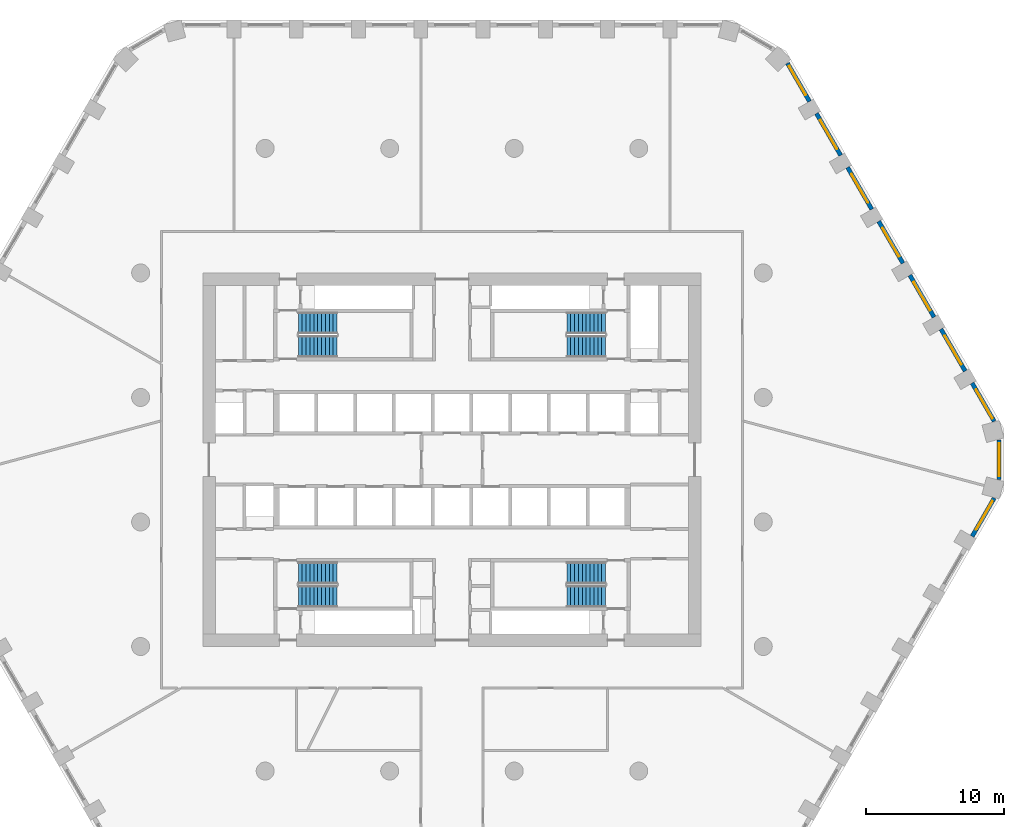
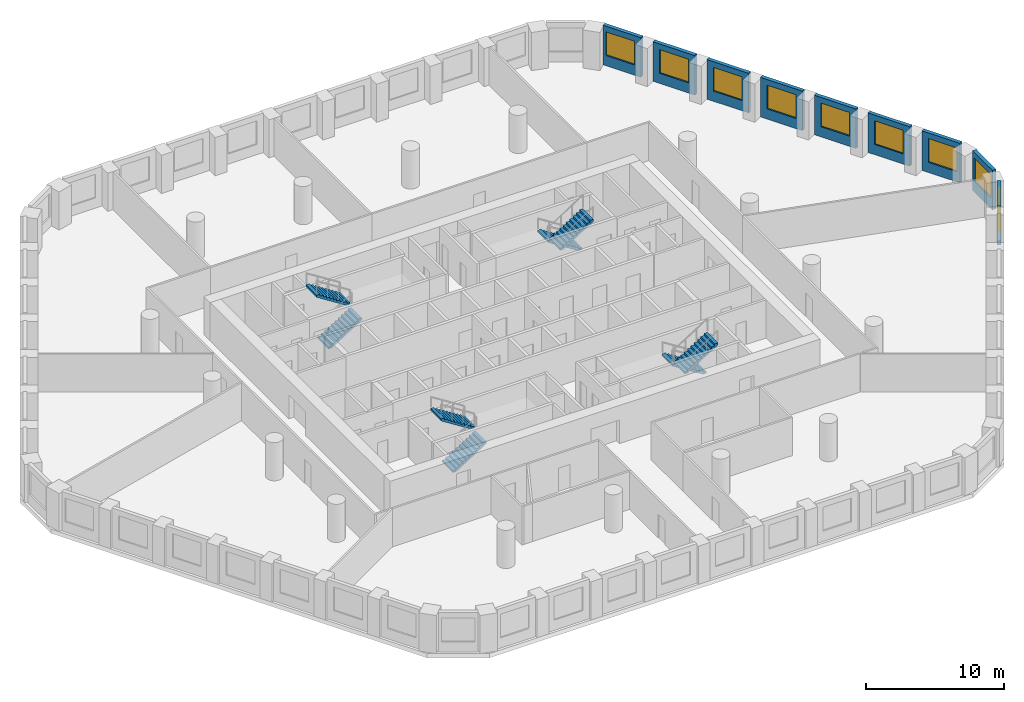
# One storey, part 8 of 9: 9 walls, 9 windows, 8 stair flights, 9 openings, 4 elements without a shape of their own.
"""IFC4 building model written with IfcOpenShell, lengths in metres."""

from ifc_helpers import new_model, si_unit, direction, frame, frame_2d, origin, place, context, subcontext, project, spatial, polyline, rectangle, outline, extrude, material, layer, layer_set, type_object, element, fill, aggregate, save


model = new_model("IFC4")

# Units and contexts
model_context = context("Model", 3, precision=1e-05, world=origin(), true_north=direction((0.0, 1.0)))
body_context = subcontext(model_context, "Body", "Model", "MODEL_VIEW")
ifc_project = project(units=[si_unit("LENGTHUNIT", "METRE"), si_unit("AREAUNIT", "SQUARE_METRE"), si_unit("VOLUMEUNIT", "CUBIC_METRE"), si_unit("PLANEANGLEUNIT", "RADIAN"), si_unit("MASSUNIT", "GRAM", prefix="KILO")], contexts=[model_context])

# Site, building, storey
site_placement = place(None, origin())
site = spatial("IfcSite", under=ifc_project, at=site_placement, CompositionType="ELEMENT")
building_placement = place(site_placement, origin())
building = spatial("IfcBuilding", under=site, at=building_placement, Name="Dhurran Vertical Campus", CompositionType="ELEMENT")
storey_placement = place(building_placement, frame((0.0, 0.0, 124.199951171875)))
storey = spatial("IfcBuildingStorey", under=building, at=storey_placement, Name="L30", CompositionType="ELEMENT", Elevation=124.199951171875)

# Wall, opening, window
ifc_material_1 = material(Name="Precast concrete C50/60", Category="concrete")
ifc_layer = layer(ifc_material_1, 0.300048828125)
ifc_layer_set = layer_set([ifc_layer], Name="Precast concrete C50/60")
wall_type = type_object("IfcWallType", Name="Precast spandrel wall 300", PredefinedType="SOLIDWALL", material=ifc_layer_set)
wall_1_placement = place(storey_placement, frame((37.59423828125, -5.538818359375, 0.0), z_axis=(0.0, 0.0, 1.0), x_axis=(0.500004907028, 0.866022570692, 0.0)))
wall_1 = element("IfcWall", 1, at=wall_1_placement, inside=storey, type_object=wall_type, Name="EW1 L30.16", PredefinedType="SOLIDWALL", context=body_context, shape_type="SweptSolid", body=[
    extrude(rectangle(XDim=3.1923828125, YDim=0.300048828125, at=frame_2d((1.59619140625, 0.0))), origin(), (0.0, 0.0, 1.0), 3.5),
])
opening_1_placement = place(wall_1_placement, frame((0.549560546875, 0.0, 0.89990234375)))
opening_1 = element("IfcOpeningElement", 2, at=opening_1_placement, cuts=wall_1, Name="Opening WT1", PredefinedType="OPENING", context=body_context, shape_type="SweptSolid", body=[
    extrude(rectangle(XDim=2.39990234375, YDim=2.10009765625, at=frame_2d((1.199951171875, 1.050048828125))), frame((0.0, 0.159912109375, 0.0), z_axis=(0.0, -1.0, 0.0), x_axis=(1.0, 0.0, 0.0)), (0.0, 0.0, 1.0), 0.320068359375),
])
ifc_material_2 = material(Name="Aluminium frame with solar-control glass", Category="aluminium")
window_type = type_object("IfcWindowType", Name="Punched window 2400 x 2100", PartitioningType="SINGLE_PANEL", PredefinedType="WINDOW", material=ifc_material_2)
window_1_placement = place(opening_1_placement, origin())
window_1 = element("IfcWindow", 3, at=window_1_placement, inside=storey, type_object=window_type, Name="WT1 L30.16", OverallHeight=2.10009765625, OverallWidth=2.39990234375, PartitioningType="SINGLE_PANEL", PredefinedType="WINDOW", context=body_context, shape_type="SweptSolid", body=[
    extrude(rectangle(XDim=2.39990234375, YDim=2.10009765625, at=frame_2d((1.199951171875, 1.050048828125))), frame((0.0, 0.030029296875, 0.0), z_axis=(0.0, -1.0, 0.0), x_axis=(1.0, 0.0, 0.0)), (0.0, 0.0, 1.0), 0.06005859375),
])
fill(opening_1, window_1)

wall_2_placement = place(storey_placement, frame((39.547119140625, -1.44287109375, 0.0), z_axis=(0.0, 0.0, 1.0), x_axis=(0.0, 1.0, 0.0)))
wall_2 = element("IfcWall", 4, at=wall_2_placement, inside=storey, type_object=wall_type, Name="EW1 L30.17", PredefinedType="SOLIDWALL", context=body_context, shape_type="SweptSolid", body=[
    extrude(rectangle(XDim=2.8857421875, YDim=0.300048828125, at=frame_2d((1.44287109375, 0.0))), origin(), (0.0, 0.0, 1.0), 3.5),
])
opening_2_placement = place(wall_2_placement, frame((0.242919921875, 0.0, 0.89990234375)))
opening_2 = element("IfcOpeningElement", 5, at=opening_2_placement, cuts=wall_2, Name="Opening WT1", PredefinedType="OPENING", context=body_context, shape_type="SweptSolid", body=[
    extrude(rectangle(XDim=2.39990234375, YDim=2.10009765625, at=frame_2d((1.199951171875, 1.050048828125))), frame((0.0, 0.159912109375, 0.0), z_axis=(0.0, -1.0, 0.0), x_axis=(1.0, 0.0, 0.0)), (0.0, 0.0, 1.0), 0.320068359375),
])
window_2_placement = place(opening_2_placement, origin())
window_2 = element("IfcWindow", 6, at=window_2_placement, inside=storey, type_object=window_type, Name="WT1 L30.17", OverallHeight=2.10009765625, OverallWidth=2.39990234375, PartitioningType="SINGLE_PANEL", PredefinedType="WINDOW", context=body_context, shape_type="SweptSolid", body=[
    extrude(rectangle(XDim=2.39990234375, YDim=2.10009765625, at=frame_2d((1.199951171875, 1.050048828125))), frame((0.0, 0.030029296875, 0.0), z_axis=(0.0, -1.0, 0.0), x_axis=(1.0, 0.0, 0.0)), (0.0, 0.0, 1.0), 0.06005859375),
])
fill(opening_2, window_2)

wall_3_placement = place(storey_placement, frame((39.1904296875, 2.774169921875, 0.0), z_axis=(0.0, 0.0, 1.0), x_axis=(-0.500004907028, 0.866022570692, 0.0)))
wall_3 = element("IfcWall", 7, at=wall_3_placement, inside=storey, type_object=wall_type, Name="EW1 L30.18", PredefinedType="SOLIDWALL", context=body_context, shape_type="SweptSolid", body=[
    extrude(rectangle(XDim=3.1923828125, YDim=0.300048828125, at=frame_2d((1.59619140625, 0.0))), origin(), (0.0, 0.0, 1.0), 3.5),
])
opening_3_placement = place(wall_3_placement, frame((0.242919921875, 0.0, 0.89990234375)))
opening_3 = element("IfcOpeningElement", 8, at=opening_3_placement, cuts=wall_3, Name="Opening WT1", PredefinedType="OPENING", context=body_context, shape_type="SweptSolid", body=[
    extrude(rectangle(XDim=2.39990234375, YDim=2.10009765625, at=frame_2d((1.199951171875, 1.050048828125))), frame((0.0, 0.159912109375, 0.0), z_axis=(0.0, -1.0, 0.0), x_axis=(1.0, 0.0, 0.0)), (0.0, 0.0, 1.0), 0.320068359375),
])
window_3_placement = place(opening_3_placement, origin())
window_3 = element("IfcWindow", 9, at=window_3_placement, inside=storey, type_object=window_type, Name="WT1 L30.18", OverallHeight=2.10009765625, OverallWidth=2.39990234375, PartitioningType="SINGLE_PANEL", PredefinedType="WINDOW", context=body_context, shape_type="SweptSolid", body=[
    extrude(rectangle(XDim=2.39990234375, YDim=2.10009765625, at=frame_2d((1.199951171875, 1.050048828125))), frame((0.0, 0.030029296875, 0.0), z_axis=(0.0, -1.0, 0.0), x_axis=(1.0, 0.0, 0.0)), (0.0, 0.0, 1.0), 0.06005859375),
])
fill(opening_3, window_3)

wall_4_placement = place(storey_placement, frame((37.09375, 6.405517578125, 0.0), z_axis=(0.0, 0.0, 1.0), x_axis=(-0.499996256241, 0.866027565234, 0.0)))
wall_4 = element("IfcWall", 10, at=wall_4_placement, inside=storey, type_object=wall_type, Name="EW1 L30.19", PredefinedType="SOLIDWALL", context=body_context, shape_type="SweptSolid", body=[
    extrude(rectangle(XDim=3.4990234375, YDim=0.300048828125, at=frame_2d((1.74951171875, 0.0))), origin(), (0.0, 0.0, 1.0), 3.5),
])
opening_4_placement = place(wall_4_placement, frame((0.549560546875, 0.0, 0.89990234375)))
opening_4 = element("IfcOpeningElement", 11, at=opening_4_placement, cuts=wall_4, Name="Opening WT1", PredefinedType="OPENING", context=body_context, shape_type="SweptSolid", body=[
    extrude(rectangle(XDim=2.39990234375, YDim=2.10009765625, at=frame_2d((1.199951171875, 1.050048828125))), frame((0.0, 0.159912109375, 0.0), z_axis=(0.0, -1.0, 0.0), x_axis=(1.0, 0.0, 0.0)), (0.0, 0.0, 1.0), 0.320068359375),
])
window_4_placement = place(opening_4_placement, origin())
window_4 = element("IfcWindow", 12, at=window_4_placement, inside=storey, type_object=window_type, Name="WT1 L30.19", OverallHeight=2.10009765625, OverallWidth=2.39990234375, PartitioningType="SINGLE_PANEL", PredefinedType="WINDOW", context=body_context, shape_type="SweptSolid", body=[
    extrude(rectangle(XDim=2.39990234375, YDim=2.10009765625, at=frame_2d((1.199951171875, 1.050048828125))), frame((0.0, 0.030029296875, 0.0), z_axis=(0.0, -1.0, 0.0), x_axis=(1.0, 0.0, 0.0)), (0.0, 0.0, 1.0), 0.06005859375),
])
fill(opening_4, window_4)

wall_5_placement = place(storey_placement, frame((34.84375, 10.302734375, 0.0), z_axis=(0.0, 0.0, 1.0), x_axis=(-0.499996256241, 0.866027565234, 0.0)))
wall_5 = element("IfcWall", 13, at=wall_5_placement, inside=storey, type_object=wall_type, Name="EW1 L30.20", PredefinedType="SOLIDWALL", context=body_context, shape_type="SweptSolid", body=[
    extrude(rectangle(XDim=3.4990234375, YDim=0.300048828125, at=frame_2d((1.74951171875, 0.0))), origin(), (0.0, 0.0, 1.0), 3.5),
])
opening_5_placement = place(wall_5_placement, frame((0.549560546875, 0.0, 0.89990234375)))
opening_5 = element("IfcOpeningElement", 14, at=opening_5_placement, cuts=wall_5, Name="Opening WT1", PredefinedType="OPENING", context=body_context, shape_type="SweptSolid", body=[
    extrude(rectangle(XDim=2.39990234375, YDim=2.10009765625, at=frame_2d((1.199951171875, 1.050048828125))), frame((0.0, 0.159912109375, 0.0), z_axis=(0.0, -1.0, 0.0), x_axis=(1.0, 0.0, 0.0)), (0.0, 0.0, 1.0), 0.320068359375),
])
window_5_placement = place(opening_5_placement, origin())
window_5 = element("IfcWindow", 15, at=window_5_placement, inside=storey, type_object=window_type, Name="WT1 L30.20", OverallHeight=2.10009765625, OverallWidth=2.39990234375, PartitioningType="SINGLE_PANEL", PredefinedType="WINDOW", context=body_context, shape_type="SweptSolid", body=[
    extrude(rectangle(XDim=2.39990234375, YDim=2.10009765625, at=frame_2d((1.199951171875, 1.050048828125))), frame((0.0, 0.030029296875, 0.0), z_axis=(0.0, -1.0, 0.0), x_axis=(1.0, 0.0, 0.0)), (0.0, 0.0, 1.0), 0.06005859375),
])
fill(opening_5, window_5)

wall_6_placement = place(storey_placement, frame((32.59375, 14.19970703125, 0.0), z_axis=(0.0, 0.0, 1.0), x_axis=(-0.499996256241, 0.866027565234, 0.0)))
wall_6 = element("IfcWall", 16, at=wall_6_placement, inside=storey, type_object=wall_type, Name="EW1 L30.21", PredefinedType="SOLIDWALL", context=body_context, shape_type="SweptSolid", body=[
    extrude(rectangle(XDim=3.4990234375, YDim=0.300048828125, at=frame_2d((1.74951171875, 0.0))), origin(), (0.0, 0.0, 1.0), 3.5),
])
opening_6_placement = place(wall_6_placement, frame((0.549560546875, 0.0, 0.89990234375)))
opening_6 = element("IfcOpeningElement", 17, at=opening_6_placement, cuts=wall_6, Name="Opening WT1", PredefinedType="OPENING", context=body_context, shape_type="SweptSolid", body=[
    extrude(rectangle(XDim=2.39990234375, YDim=2.10009765625, at=frame_2d((1.199951171875, 1.050048828125))), frame((0.0, 0.159912109375, 0.0), z_axis=(0.0, -1.0, 0.0), x_axis=(1.0, 0.0, 0.0)), (0.0, 0.0, 1.0), 0.320068359375),
])
window_6_placement = place(opening_6_placement, origin())
window_6 = element("IfcWindow", 18, at=window_6_placement, inside=storey, type_object=window_type, Name="WT1 L30.21", OverallHeight=2.10009765625, OverallWidth=2.39990234375, PartitioningType="SINGLE_PANEL", PredefinedType="WINDOW", context=body_context, shape_type="SweptSolid", body=[
    extrude(rectangle(XDim=2.39990234375, YDim=2.10009765625, at=frame_2d((1.199951171875, 1.050048828125))), frame((0.0, 0.030029296875, 0.0), z_axis=(0.0, -1.0, 0.0), x_axis=(1.0, 0.0, 0.0)), (0.0, 0.0, 1.0), 0.06005859375),
])
fill(opening_6, window_6)

wall_7_placement = place(storey_placement, frame((30.34375, 18.096923828125, 0.0), z_axis=(0.0, 0.0, 1.0), x_axis=(-0.499996256241, 0.866027565234, 0.0)))
wall_7 = element("IfcWall", 19, at=wall_7_placement, inside=storey, type_object=wall_type, Name="EW1 L30.22", PredefinedType="SOLIDWALL", context=body_context, shape_type="SweptSolid", body=[
    extrude(rectangle(XDim=3.4990234375, YDim=0.300048828125, at=frame_2d((1.74951171875, 0.0))), origin(), (0.0, 0.0, 1.0), 3.5),
])
opening_7_placement = place(wall_7_placement, frame((0.549560546875, 0.0, 0.89990234375)))
opening_7 = element("IfcOpeningElement", 20, at=opening_7_placement, cuts=wall_7, Name="Opening WT1", PredefinedType="OPENING", context=body_context, shape_type="SweptSolid", body=[
    extrude(rectangle(XDim=2.39990234375, YDim=2.10009765625, at=frame_2d((1.199951171875, 1.050048828125))), frame((0.0, 0.159912109375, 0.0), z_axis=(0.0, -1.0, 0.0), x_axis=(1.0, 0.0, 0.0)), (0.0, 0.0, 1.0), 0.320068359375),
])
window_7_placement = place(opening_7_placement, origin())
window_7 = element("IfcWindow", 21, at=window_7_placement, inside=storey, type_object=window_type, Name="WT1 L30.22", OverallHeight=2.10009765625, OverallWidth=2.39990234375, PartitioningType="SINGLE_PANEL", PredefinedType="WINDOW", context=body_context, shape_type="SweptSolid", body=[
    extrude(rectangle(XDim=2.39990234375, YDim=2.10009765625, at=frame_2d((1.199951171875, 1.050048828125))), frame((0.0, 0.030029296875, 0.0), z_axis=(0.0, -1.0, 0.0), x_axis=(1.0, 0.0, 0.0)), (0.0, 0.0, 1.0), 0.06005859375),
])
fill(opening_7, window_7)

wall_8_placement = place(storey_placement, frame((28.09375, 21.993896484375, 0.0), z_axis=(0.0, 0.0, 1.0), x_axis=(-0.499996256241, 0.866027565234, 0.0)))
wall_8 = element("IfcWall", 22, at=wall_8_placement, inside=storey, type_object=wall_type, Name="EW1 L30.23", PredefinedType="SOLIDWALL", context=body_context, shape_type="SweptSolid", body=[
    extrude(rectangle(XDim=3.4990234375, YDim=0.300048828125, at=frame_2d((1.74951171875, 0.0))), origin(), (0.0, 0.0, 1.0), 3.5),
])
opening_8_placement = place(wall_8_placement, frame((0.549560546875, 0.0, 0.89990234375)))
opening_8 = element("IfcOpeningElement", 23, at=opening_8_placement, cuts=wall_8, Name="Opening WT1", PredefinedType="OPENING", context=body_context, shape_type="SweptSolid", body=[
    extrude(rectangle(XDim=2.39990234375, YDim=2.10009765625, at=frame_2d((1.199951171875, 1.050048828125))), frame((0.0, 0.159912109375, 0.0), z_axis=(0.0, -1.0, 0.0), x_axis=(1.0, 0.0, 0.0)), (0.0, 0.0, 1.0), 0.320068359375),
])
window_8_placement = place(opening_8_placement, origin())
window_8 = element("IfcWindow", 24, at=window_8_placement, inside=storey, type_object=window_type, Name="WT1 L30.23", OverallHeight=2.10009765625, OverallWidth=2.39990234375, PartitioningType="SINGLE_PANEL", PredefinedType="WINDOW", context=body_context, shape_type="SweptSolid", body=[
    extrude(rectangle(XDim=2.39990234375, YDim=2.10009765625, at=frame_2d((1.199951171875, 1.050048828125))), frame((0.0, 0.030029296875, 0.0), z_axis=(0.0, -1.0, 0.0), x_axis=(1.0, 0.0, 0.0)), (0.0, 0.0, 1.0), 0.06005859375),
])
fill(opening_8, window_8)

wall_9_placement = place(storey_placement, frame((25.84375, 25.89111328125, 0.0), z_axis=(0.0, 0.0, 1.0), x_axis=(-0.500004907028, 0.866022570692, 0.0)))
wall_9 = element("IfcWall", 25, at=wall_9_placement, inside=storey, type_object=wall_type, Name="EW1 L30.24", PredefinedType="SOLIDWALL", context=body_context, shape_type="SweptSolid", body=[
    extrude(rectangle(XDim=3.1923828125, YDim=0.300048828125, at=frame_2d((1.59619140625, 0.0))), origin(), (0.0, 0.0, 1.0), 3.5),
])
opening_9_placement = place(wall_9_placement, frame((0.549560546875, 0.0, 0.89990234375)))
opening_9 = element("IfcOpeningElement", 26, at=opening_9_placement, cuts=wall_9, Name="Opening WT1", PredefinedType="OPENING", context=body_context, shape_type="SweptSolid", body=[
    extrude(rectangle(XDim=2.39990234375, YDim=2.10009765625, at=frame_2d((1.199951171875, 1.050048828125))), frame((0.0, 0.159912109375, 0.0), z_axis=(0.0, -1.0, 0.0), x_axis=(1.0, 0.0, 0.0)), (0.0, 0.0, 1.0), 0.320068359375),
])
window_9_placement = place(opening_9_placement, origin())
window_9 = element("IfcWindow", 27, at=window_9_placement, inside=storey, type_object=window_type, Name="WT1 L30.24", OverallHeight=2.10009765625, OverallWidth=2.39990234375, PartitioningType="SINGLE_PANEL", PredefinedType="WINDOW", context=body_context, shape_type="SweptSolid", body=[
    extrude(rectangle(XDim=2.39990234375, YDim=2.10009765625, at=frame_2d((1.199951171875, 1.050048828125))), frame((0.0, 0.030029296875, 0.0), z_axis=(0.0, -1.0, 0.0), x_axis=(1.0, 0.0, 0.0)), (0.0, 0.0, 1.0), 0.06005859375),
])
fill(opening_9, window_9)

# Stair, stair flights
ifc_material_3 = material(Name="Concrete C40/50", Category="concrete")
stair_type = type_object("IfcStairType", Name="co-ST-CORE", PredefinedType="HALF_TURN_STAIR", material=ifc_material_3)
stair_1_placement = place(storey_placement, origin())
stair_1 = element("IfcStair", 28, at=stair_1_placement, inside=storey, type_object=stair_type, Name="L30 Protected exit stair ST1", PredefinedType="HALF_TURN_STAIR")
ifc_material_4 = material(Name="Concrete C40/50", Category="concrete")
stair_flight_type = type_object("IfcStairFlightType", Name="co-SFL-RC", PredefinedType="STRAIGHT", material=ifc_material_4)
stair_flight_1_placement = place(storey_placement, frame((-11.10009765625, 8.175048828125, 0.0), z_axis=(0.0, 0.0, 1.0), x_axis=(1.0, 0.0, 0.0)))
stair_flight_1 = element("IfcStairFlight", 29, at=stair_flight_1_placement, type_object=stair_flight_type, Name="ST1 flight 1", NumberOfRisers=11, NumberOfTreads=10, PredefinedType="STRAIGHT", RiserHeight=0.177272727, TreadLength=0.28, context=body_context, shape_type="SweptSolid", body=[
    extrude(outline(polyline([(0.0, 0.0), (0.0, 0.17724609375), (0.280029296875, 0.17724609375), (0.280029296875, 0.3544921875), (0.56005859375, 0.3544921875), (0.56005859375, 0.53173828125), (0.840087890625, 0.53173828125), (0.840087890625, 0.708984375), (1.1201171875, 0.708984375), (1.1201171875, 0.886474609375), (1.39990234375, 0.886474609375), (1.39990234375, 1.063720703125), (1.679931640625, 1.063720703125), (1.679931640625, 1.240966796875), (1.9599609375, 1.240966796875), (1.9599609375, 1.418212890625), (2.239990234375, 1.418212890625), (2.239990234375, 1.595458984375), (2.52001953125, 1.595458984375), (2.52001953125, 1.772705078125), (2.800048828125, 1.772705078125), (2.800048828125, 1.949951171875), (2.800048828125, 1.59521484375), (0.2802734375, 0.0), (0.0, 0.0)])), frame((0.0, 0.77490234375, 0.0), z_axis=(0.0, -1.0, 0.0), x_axis=(1.0, 0.0, 0.0)), (0.0, 0.0, 1.0), 1.550048828125),
])
stair_flight_2_placement = place(storey_placement, frame((-8.300048828125, 9.875, 1.949951171875), z_axis=(0.0, 0.0, 1.0), x_axis=(-1.0, 0.0, 0.0)))
stair_flight_2 = element("IfcStairFlight", 30, at=stair_flight_2_placement, type_object=stair_flight_type, Name="ST1 flight 2", NumberOfRisers=11, NumberOfTreads=10, PredefinedType="STRAIGHT", RiserHeight=0.177272727, TreadLength=0.28, context=body_context, shape_type="SweptSolid", body=[
    extrude(outline(polyline([(0.0, 0.0), (0.0, 0.17724609375), (0.280029296875, 0.17724609375), (0.280029296875, 0.3544921875), (0.56005859375, 0.3544921875), (0.56005859375, 0.53173828125), (0.840087890625, 0.53173828125), (0.840087890625, 0.708984375), (1.1201171875, 0.708984375), (1.1201171875, 0.886474609375), (1.39990234375, 0.886474609375), (1.39990234375, 1.063720703125), (1.679931640625, 1.063720703125), (1.679931640625, 1.240966796875), (1.9599609375, 1.240966796875), (1.9599609375, 1.418212890625), (2.239990234375, 1.418212890625), (2.239990234375, 1.595458984375), (2.52001953125, 1.595458984375), (2.52001953125, 1.772705078125), (2.800048828125, 1.772705078125), (2.800048828125, 1.949951171875), (2.800048828125, 1.59521484375), (0.2802734375, 0.0), (0.0, 0.0)])), frame((0.0, 0.77490234375, 0.0), z_axis=(0.0, -1.0, 0.0), x_axis=(1.0, 0.0, 0.0)), (0.0, 0.0, 1.0), 1.550048828125),
])
aggregate(stair_1, [stair_flight_1, stair_flight_2])

stair_2_placement = place(storey_placement, origin())
stair_2 = element("IfcStair", 31, at=stair_2_placement, inside=storey, type_object=stair_type, Name="L30 Protected exit stair ST2", PredefinedType="HALF_TURN_STAIR")
stair_flight_3_placement = place(storey_placement, frame((11.10009765625, 9.875, 0.0), z_axis=(0.0, 0.0, 1.0), x_axis=(-1.0, 0.0, 0.0)))
stair_flight_3 = element("IfcStairFlight", 32, at=stair_flight_3_placement, type_object=stair_flight_type, Name="ST2 flight 1", NumberOfRisers=11, NumberOfTreads=10, PredefinedType="STRAIGHT", RiserHeight=0.177272727, TreadLength=0.28, context=body_context, shape_type="SweptSolid", body=[
    extrude(outline(polyline([(0.0, 0.0), (0.0, 0.17724609375), (0.280029296875, 0.17724609375), (0.280029296875, 0.3544921875), (0.56005859375, 0.3544921875), (0.56005859375, 0.53173828125), (0.840087890625, 0.53173828125), (0.840087890625, 0.708984375), (1.1201171875, 0.708984375), (1.1201171875, 0.886474609375), (1.39990234375, 0.886474609375), (1.39990234375, 1.063720703125), (1.679931640625, 1.063720703125), (1.679931640625, 1.240966796875), (1.9599609375, 1.240966796875), (1.9599609375, 1.418212890625), (2.239990234375, 1.418212890625), (2.239990234375, 1.595458984375), (2.52001953125, 1.595458984375), (2.52001953125, 1.772705078125), (2.800048828125, 1.772705078125), (2.800048828125, 1.949951171875), (2.800048828125, 1.59521484375), (0.2802734375, 0.0), (0.0, 0.0)])), frame((0.0, 0.77490234375, 0.0), z_axis=(0.0, -1.0, 0.0), x_axis=(1.0, 0.0, 0.0)), (0.0, 0.0, 1.0), 1.550048828125),
])
stair_flight_4_placement = place(storey_placement, frame((8.300048828125, 8.175048828125, 1.949951171875), z_axis=(0.0, 0.0, 1.0), x_axis=(1.0, 0.0, 0.0)))
stair_flight_4 = element("IfcStairFlight", 33, at=stair_flight_4_placement, type_object=stair_flight_type, Name="ST2 flight 2", NumberOfRisers=11, NumberOfTreads=10, PredefinedType="STRAIGHT", RiserHeight=0.177272727, TreadLength=0.28, context=body_context, shape_type="SweptSolid", body=[
    extrude(outline(polyline([(0.0, 0.0), (0.0, 0.17724609375), (0.280029296875, 0.17724609375), (0.280029296875, 0.3544921875), (0.56005859375, 0.3544921875), (0.56005859375, 0.53173828125), (0.840087890625, 0.53173828125), (0.840087890625, 0.708984375), (1.1201171875, 0.708984375), (1.1201171875, 0.886474609375), (1.39990234375, 0.886474609375), (1.39990234375, 1.063720703125), (1.679931640625, 1.063720703125), (1.679931640625, 1.240966796875), (1.9599609375, 1.240966796875), (1.9599609375, 1.418212890625), (2.239990234375, 1.418212890625), (2.239990234375, 1.595458984375), (2.52001953125, 1.595458984375), (2.52001953125, 1.772705078125), (2.800048828125, 1.772705078125), (2.800048828125, 1.949951171875), (2.800048828125, 1.59521484375), (0.2802734375, 0.0), (0.0, 0.0)])), frame((0.0, 0.77490234375, 0.0), z_axis=(0.0, -1.0, 0.0), x_axis=(1.0, 0.0, 0.0)), (0.0, 0.0, 1.0), 1.550048828125),
])
aggregate(stair_2, [stair_flight_3, stair_flight_4])

stair_3_placement = place(storey_placement, origin())
stair_3 = element("IfcStair", 34, at=stair_3_placement, inside=storey, type_object=stair_type, Name="L30 Protected exit stair ST3", PredefinedType="HALF_TURN_STAIR")
stair_flight_5_placement = place(storey_placement, frame((-11.10009765625, -9.875, 0.0), z_axis=(0.0, 0.0, 1.0), x_axis=(1.0, 0.0, 0.0)))
stair_flight_5 = element("IfcStairFlight", 35, at=stair_flight_5_placement, type_object=stair_flight_type, Name="ST3 flight 1", NumberOfRisers=11, NumberOfTreads=10, PredefinedType="STRAIGHT", RiserHeight=0.177272727, TreadLength=0.28, context=body_context, shape_type="SweptSolid", body=[
    extrude(outline(polyline([(0.0, 0.0), (0.0, 0.17724609375), (0.280029296875, 0.17724609375), (0.280029296875, 0.3544921875), (0.56005859375, 0.3544921875), (0.56005859375, 0.53173828125), (0.840087890625, 0.53173828125), (0.840087890625, 0.708984375), (1.1201171875, 0.708984375), (1.1201171875, 0.886474609375), (1.39990234375, 0.886474609375), (1.39990234375, 1.063720703125), (1.679931640625, 1.063720703125), (1.679931640625, 1.240966796875), (1.9599609375, 1.240966796875), (1.9599609375, 1.418212890625), (2.239990234375, 1.418212890625), (2.239990234375, 1.595458984375), (2.52001953125, 1.595458984375), (2.52001953125, 1.772705078125), (2.800048828125, 1.772705078125), (2.800048828125, 1.949951171875), (2.800048828125, 1.59521484375), (0.2802734375, 0.0), (0.0, 0.0)])), frame((0.0, 0.77490234375, 0.0), z_axis=(0.0, -1.0, 0.0), x_axis=(1.0, 0.0, 0.0)), (0.0, 0.0, 1.0), 1.550048828125),
])
stair_flight_6_placement = place(storey_placement, frame((-8.300048828125, -8.175048828125, 1.949951171875), z_axis=(0.0, 0.0, 1.0), x_axis=(-1.0, 0.0, 0.0)))
stair_flight_6 = element("IfcStairFlight", 36, at=stair_flight_6_placement, type_object=stair_flight_type, Name="ST3 flight 2", NumberOfRisers=11, NumberOfTreads=10, PredefinedType="STRAIGHT", RiserHeight=0.177272727, TreadLength=0.28, context=body_context, shape_type="SweptSolid", body=[
    extrude(outline(polyline([(0.0, 0.0), (0.0, 0.17724609375), (0.280029296875, 0.17724609375), (0.280029296875, 0.3544921875), (0.56005859375, 0.3544921875), (0.56005859375, 0.53173828125), (0.840087890625, 0.53173828125), (0.840087890625, 0.708984375), (1.1201171875, 0.708984375), (1.1201171875, 0.886474609375), (1.39990234375, 0.886474609375), (1.39990234375, 1.063720703125), (1.679931640625, 1.063720703125), (1.679931640625, 1.240966796875), (1.9599609375, 1.240966796875), (1.9599609375, 1.418212890625), (2.239990234375, 1.418212890625), (2.239990234375, 1.595458984375), (2.52001953125, 1.595458984375), (2.52001953125, 1.772705078125), (2.800048828125, 1.772705078125), (2.800048828125, 1.949951171875), (2.800048828125, 1.59521484375), (0.2802734375, 0.0), (0.0, 0.0)])), frame((0.0, 0.77490234375, 0.0), z_axis=(0.0, -1.0, 0.0), x_axis=(1.0, 0.0, 0.0)), (0.0, 0.0, 1.0), 1.550048828125),
])
aggregate(stair_3, [stair_flight_5, stair_flight_6])

stair_4_placement = place(storey_placement, origin())
stair_4 = element("IfcStair", 37, at=stair_4_placement, inside=storey, type_object=stair_type, Name="L30 Protected exit stair ST4", PredefinedType="HALF_TURN_STAIR")
stair_flight_7_placement = place(storey_placement, frame((11.10009765625, -8.175048828125, 0.0), z_axis=(0.0, 0.0, 1.0), x_axis=(-1.0, 0.0, 0.0)))
stair_flight_7 = element("IfcStairFlight", 38, at=stair_flight_7_placement, type_object=stair_flight_type, Name="ST4 flight 1", NumberOfRisers=11, NumberOfTreads=10, PredefinedType="STRAIGHT", RiserHeight=0.177272727, TreadLength=0.28, context=body_context, shape_type="SweptSolid", body=[
    extrude(outline(polyline([(0.0, 0.0), (0.0, 0.17724609375), (0.280029296875, 0.17724609375), (0.280029296875, 0.3544921875), (0.56005859375, 0.3544921875), (0.56005859375, 0.53173828125), (0.840087890625, 0.53173828125), (0.840087890625, 0.708984375), (1.1201171875, 0.708984375), (1.1201171875, 0.886474609375), (1.39990234375, 0.886474609375), (1.39990234375, 1.063720703125), (1.679931640625, 1.063720703125), (1.679931640625, 1.240966796875), (1.9599609375, 1.240966796875), (1.9599609375, 1.418212890625), (2.239990234375, 1.418212890625), (2.239990234375, 1.595458984375), (2.52001953125, 1.595458984375), (2.52001953125, 1.772705078125), (2.800048828125, 1.772705078125), (2.800048828125, 1.949951171875), (2.800048828125, 1.59521484375), (0.2802734375, 0.0), (0.0, 0.0)])), frame((0.0, 0.77490234375, 0.0), z_axis=(0.0, -1.0, 0.0), x_axis=(1.0, 0.0, 0.0)), (0.0, 0.0, 1.0), 1.550048828125),
])
stair_flight_8_placement = place(storey_placement, frame((8.300048828125, -9.875, 1.949951171875), z_axis=(0.0, 0.0, 1.0), x_axis=(1.0, 0.0, 0.0)))
stair_flight_8 = element("IfcStairFlight", 39, at=stair_flight_8_placement, type_object=stair_flight_type, Name="ST4 flight 2", NumberOfRisers=11, NumberOfTreads=10, PredefinedType="STRAIGHT", RiserHeight=0.177272727, TreadLength=0.28, context=body_context, shape_type="SweptSolid", body=[
    extrude(outline(polyline([(0.0, 0.0), (0.0, 0.17724609375), (0.280029296875, 0.17724609375), (0.280029296875, 0.3544921875), (0.56005859375, 0.3544921875), (0.56005859375, 0.53173828125), (0.840087890625, 0.53173828125), (0.840087890625, 0.708984375), (1.1201171875, 0.708984375), (1.1201171875, 0.886474609375), (1.39990234375, 0.886474609375), (1.39990234375, 1.063720703125), (1.679931640625, 1.063720703125), (1.679931640625, 1.240966796875), (1.9599609375, 1.240966796875), (1.9599609375, 1.418212890625), (2.239990234375, 1.418212890625), (2.239990234375, 1.595458984375), (2.52001953125, 1.595458984375), (2.52001953125, 1.772705078125), (2.800048828125, 1.772705078125), (2.800048828125, 1.949951171875), (2.800048828125, 1.59521484375), (0.2802734375, 0.0), (0.0, 0.0)])), frame((0.0, 0.77490234375, 0.0), z_axis=(0.0, -1.0, 0.0), x_axis=(1.0, 0.0, 0.0)), (0.0, 0.0, 1.0), 1.550048828125),
])
aggregate(stair_4, [stair_flight_7, stair_flight_8])

save(model, "model.ifc")
